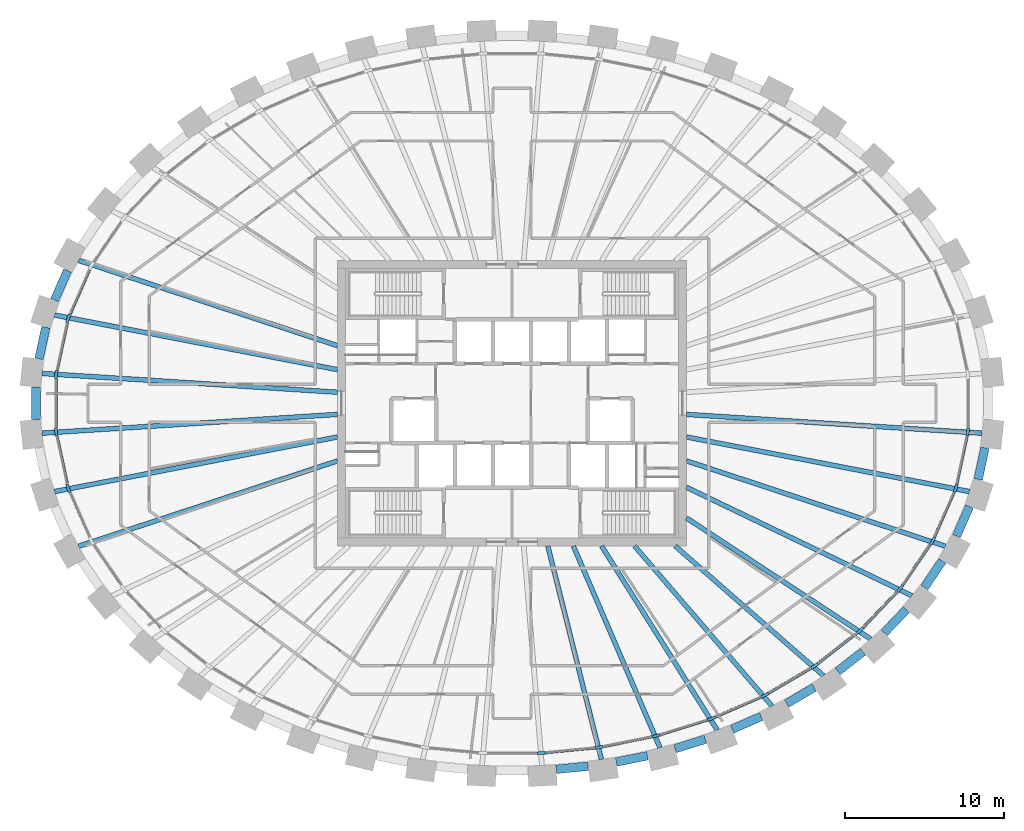
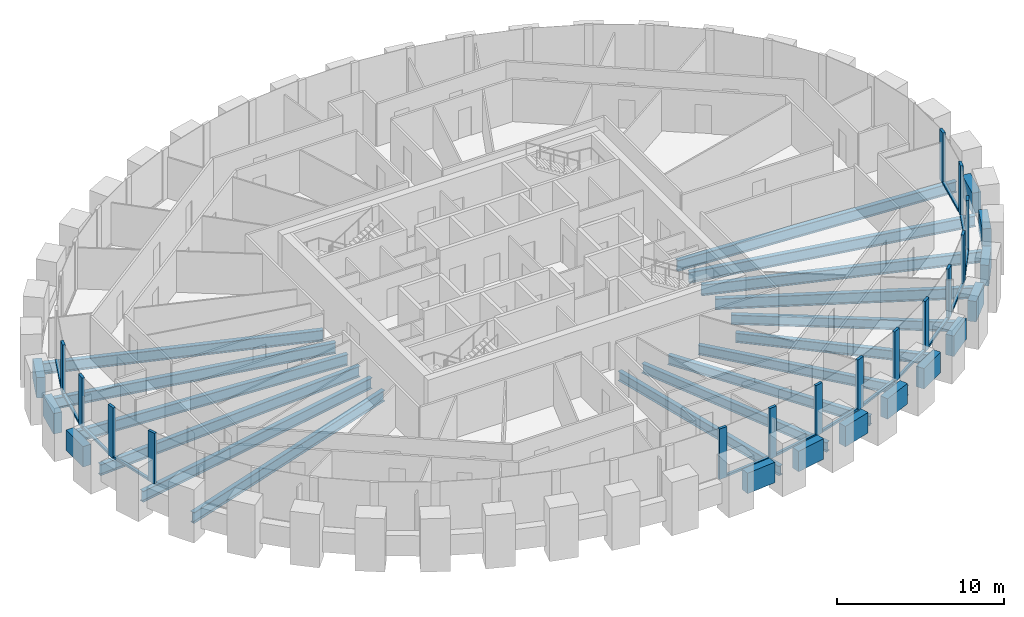
# One storey, part 2 of 12: 29 beams, 29 members, 1 element without a shape of its own.
"""IFC4 building model written with IfcOpenShell, lengths in metres."""

from ifc_helpers import new_model, si_unit, direction, frame, origin, origin_2d, place, context, subcontext, project, spatial, rectangle, i_section, extrude, source, transform, mapped, material, material_profile, profile_set, type_object, element, aggregate, save


model = new_model("IFC4")

# Units and contexts
model_context = context("Model", 3, precision=1e-05, world=origin(), true_north=direction((0.0, 1.0)))
body_context = subcontext(model_context, "Body", "Model", "MODEL_VIEW")
ifc_project = project(units=[si_unit("LENGTHUNIT", "METRE"), si_unit("AREAUNIT", "SQUARE_METRE"), si_unit("VOLUMEUNIT", "CUBIC_METRE"), si_unit("PLANEANGLEUNIT", "RADIAN"), si_unit("MASSUNIT", "GRAM", prefix="KILO")], contexts=[model_context])

# Site, building, storey
site_placement = place(None, origin())
site = spatial("IfcSite", under=ifc_project, at=site_placement, CompositionType="ELEMENT")
building_placement = place(site_placement, origin())
building = spatial("IfcBuilding", under=site, at=building_placement, Name="Embergate Tower", CompositionType="ELEMENT")
storey_placement = place(building_placement, frame((0.0, 0.0, 313.0)))
storey = spatial("IfcBuildingStorey", under=building, at=storey_placement, Name="L73", CompositionType="ELEMENT", Elevation=313.0)

# Beams
ifc_material_1 = material(Name="Concrete C50", Category="concrete")
ifc_material_profile_1 = material_profile(ifc_material_1, rectangle(XDim=0.550048828125, YDim=1.5, at=origin_2d()), Name="RC 550x1500")
ifc_profile_set_1 = profile_set([ifc_material_profile_1], Name="Concrete C50")
beam_type_1 = type_object("IfcBeamType", Name="Spandrel beam RC 550x1500 C50", PredefinedType="BEAM", material=ifc_profile_set_1)
shared_shape_1 = source(origin(), body_context, "Body", "SweptSolid", [
    extrude(rectangle(XDim=0.550048828125, YDim=1.5, at=origin_2d()), origin(), (0.0, 0.0, 1.0), 2.034423828125),
])
for number, where, z_axis, x_axis, name in (
    (1, (-29.39697265625, 4.797119140625, 0.0), (-0.209897885741, -0.977723313398, 0.0), (0.977723313398, -0.209897885741, 0.0), "SPN-L73-20"),
    (2, (29.39697265625, -4.797119140625, 0.0), (0.209897885741, 0.977723313398, 0.0), (-0.977723313398, 0.209897885741, 0.0), "SPN-L73-42"),
):
    element("IfcBeam", number, at=place(storey_placement, frame(where, z_axis=z_axis, x_axis=x_axis)), inside=storey, type_object=beam_type_1, Name=name, PredefinedType="BEAM", context=body_context, shape_type="MappedRepresentation", body=[
        mapped(shared_shape_1, transform((0.0, 0.0, 0.0))),
    ])
shared_shape_2 = source(origin(), body_context, "Body", "SweptSolid", [
    extrude(rectangle(XDim=0.550048828125, YDim=1.5, at=origin_2d()), origin(), (0.0, 0.0, 1.0), 2.03125),
])
for number, where, z_axis, x_axis, name in (
    (3, (-28.027099609375, 8.3701171875, 0.0), (-0.401695096335, -0.915773470669, 0.0), (0.915773470669, -0.401695096335, 0.0), "SPN-L73-19"),
    (4, (28.027099609375, -8.3701171875, 0.0), (0.401695096335, 0.915773470669, 0.0), (-0.915773470669, 0.401695096335, 0.0), "SPN-L73-41"),
):
    element("IfcBeam", number, at=place(storey_placement, frame(where, z_axis=z_axis, x_axis=x_axis)), inside=storey, type_object=beam_type_1, Name=name, PredefinedType="BEAM", context=body_context, shape_type="MappedRepresentation", body=[
        mapped(shared_shape_2, transform((0.0, 0.0, 0.0))),
    ])
shared_shape_3 = source(origin(), body_context, "Body", "SweptSolid", [
    extrude(rectangle(XDim=0.550048828125, YDim=1.5, at=origin_2d()), origin(), (0.0, 0.0, 1.0), 2.02392578125),
])
beam_1_placement = place(storey_placement, frame((26.0, -11.60888671875, 0.0), z_axis=(0.562220937061, 0.826987072408, 0.0), x_axis=(-0.826987072408, 0.562220937061, 0.0)))
element("IfcBeam", 5, at=beam_1_placement, inside=storey, type_object=beam_type_1, Name="SPN-L73-40", PredefinedType="BEAM", context=body_context, shape_type="MappedRepresentation", body=[
    mapped(shared_shape_3, transform((0.0, 0.0, 0.0))),
])
shared_shape_4 = source(origin(), body_context, "Body", "SweptSolid", [
    extrude(rectangle(XDim=0.550048828125, YDim=1.5, at=origin_2d()), origin(), (0.0, 0.0, 1.0), 2.0185546875),
])
beam_2_placement = place(storey_placement, frame((23.47607421875, -14.469970703125, 0.0), z_axis=(0.690032605045, 0.723778283714, 0.0), x_axis=(-0.723778283714, 0.690032605045, 0.0)))
element("IfcBeam", 6, at=beam_2_placement, inside=storey, type_object=beam_type_1, Name="SPN-L73-39", PredefinedType="BEAM", context=body_context, shape_type="MappedRepresentation", body=[
    mapped(shared_shape_4, transform((0.0, 0.0, 0.0))),
])
shared_shape_5 = source(origin(), body_context, "Body", "SweptSolid", [
    extrude(rectangle(XDim=0.550048828125, YDim=1.5, at=origin_2d()), origin(), (0.0, 0.0, 1.0), 2.011962890625),
])
beam_3_placement = place(storey_placement, frame((20.5419921875, -16.902099609375, 0.0), z_axis=(0.788259795351, 0.615342583471, 0.0), x_axis=(-0.615342583471, 0.788259795351, 0.0)))
element("IfcBeam", 7, at=beam_3_placement, inside=storey, type_object=beam_type_1, Name="SPN-L73-38", PredefinedType="BEAM", context=body_context, shape_type="MappedRepresentation", body=[
    mapped(shared_shape_5, transform((0.0, 0.0, 0.0))),
])
shared_shape_6 = source(origin(), body_context, "Body", "SweptSolid", [
    extrude(rectangle(XDim=0.550048828125, YDim=1.5, at=origin_2d()), origin(), (0.0, 0.0, 1.0), 2.008056640625),
])
beam_4_placement = place(storey_placement, frame((17.322021484375, -18.931884765625, 0.0), z_axis=(0.86201859197, 0.506876658663, 0.0), x_axis=(-0.506876658663, 0.86201859197, 0.0)))
element("IfcBeam", 8, at=beam_4_placement, inside=storey, type_object=beam_type_1, Name="SPN-L73-37", PredefinedType="BEAM", context=body_context, shape_type="MappedRepresentation", body=[
    mapped(shared_shape_6, transform((0.0, 0.0, 0.0))),
])
shared_shape_7 = source(origin(), body_context, "Body", "SweptSolid", [
    extrude(rectangle(XDim=0.550048828125, YDim=1.5, at=origin_2d()), origin(), (0.0, 0.0, 1.0), 2.0068359375),
])
beam_5_placement = place(storey_placement, frame((13.8798828125, -20.552978515625, 0.0), z_axis=(0.916455842534, 0.400135837793, 0.0), x_axis=(-0.400135837793, 0.916455842534, 0.0)))
element("IfcBeam", 9, at=beam_5_placement, inside=storey, type_object=beam_type_1, Name="SPN-L73-36", PredefinedType="BEAM", context=body_context, shape_type="MappedRepresentation", body=[
    mapped(shared_shape_7, transform((0.0, 0.0, 0.0))),
])
shared_shape_8 = source(origin(), body_context, "Body", "SweptSolid", [
    extrude(rectangle(XDim=0.550048828125, YDim=1.5, at=origin_2d()), origin(), (0.0, 0.0, 1.0), 2.0048828125),
])
beam_6_placement = place(storey_placement, frame((10.280029296875, -21.778076171875, 0.0), z_axis=(0.954756929567, 0.297387298725, 0.0), x_axis=(-0.297387298725, 0.954756929567, 0.0)))
element("IfcBeam", 10, at=beam_6_placement, inside=storey, type_object=beam_type_1, Name="SPN-L73-35", PredefinedType="BEAM", context=body_context, shape_type="MappedRepresentation", body=[
    mapped(shared_shape_8, transform((0.0, 0.0, 0.0))),
])
shared_shape_9 = source(origin(), body_context, "Body", "SweptSolid", [
    extrude(rectangle(XDim=0.550048828125, YDim=1.5, at=origin_2d()), origin(), (0.0, 0.0, 1.0), 2.003173828125),
])
beam_7_placement = place(storey_placement, frame((6.572021484375, -22.617919921875, 0.0), z_axis=(0.980364457571, 0.197194143753, 0.0), x_axis=(-0.197194143753, 0.980364457571, 0.0)))
element("IfcBeam", 11, at=beam_7_placement, inside=storey, type_object=beam_type_1, Name="SPN-L73-34", PredefinedType="BEAM", context=body_context, shape_type="MappedRepresentation", body=[
    mapped(shared_shape_9, transform((0.0, 0.0, 0.0))),
])
shared_shape_10 = source(origin(), body_context, "Body", "SweptSolid", [
    extrude(rectangle(XDim=0.550048828125, YDim=1.5, at=origin_2d()), origin(), (0.0, 0.0, 1.0), 2.00341796875),
])
beam_8_placement = place(storey_placement, frame((2.798095703125, -23.0791015625, 0.0), z_axis=(0.995201107697, 0.097850678276, 0.0), x_axis=(-0.097850678276, 0.995201107697, 0.0)))
element("IfcBeam", 12, at=beam_8_placement, inside=storey, type_object=beam_type_1, Name="SPN-L73-33", PredefinedType="BEAM", context=body_context, shape_type="MappedRepresentation", body=[
    mapped(shared_shape_10, transform((0.0, 0.0, 0.0))),
])
shared_shape_11 = source(origin(), body_context, "Body", "SweptSolid", [
    extrude(rectangle(XDim=0.550048828125, YDim=1.5, at=origin_2d()), origin(), (0.0, 0.0, 1.0), 2.0361328125),
])
beam_9_placement = place(storey_placement, frame((-30.014892578125, 1.01806640625, 0.0), z_axis=(0.0, -1.0, 0.0), x_axis=(1.0, 0.0, 0.0)))
element("IfcBeam", 13, at=beam_9_placement, inside=storey, type_object=beam_type_1, Name="SPN-L73-21", PredefinedType="BEAM", context=body_context, shape_type="MappedRepresentation", body=[
    mapped(shared_shape_11, transform((0.0, 0.0, 0.0))),
])
ifc_material_2 = material(Name="Steel Q355B", Category="steel")
ifc_material_profile_2 = material_profile(ifc_material_2, i_section(OverallWidth=0.300048828125, OverallDepth=0.800048828125, WebThickness=0.013916015625, FlangeThickness=0.02587890625, FilletRadius=0.028076171875, at=origin_2d()), Name="HN 800x300x14x26")
ifc_profile_set_2 = profile_set([ifc_material_profile_2], Name="Steel Q355 grade B")
beam_type_2 = type_object("IfcBeamType", Name="Radial girder HN 800x300x14x26", PredefinedType="BEAM", material=ifc_profile_set_2)
shared_shape_12 = source(origin(), body_context, "Body", "SweptSolid", [
    extrude(i_section(OverallWidth=0.300048828125, OverallDepth=0.800048828125, WebThickness=0.013916015625, FlangeThickness=0.02587890625, FilletRadius=0.028076171875, at=origin_2d()), origin(), (0.0, 0.0, 1.0), 18.677490234375),
])
for number, where, z_axis, x_axis, name in (
    (14, (-29.639892578125, 1.883056640625, -0.60009765625), (0.997988431548, -0.063396297175, 0.0), (0.063396297175, 0.997988431548, 0.0), "GIR-L73-21"),
    (15, (-29.639892578125, -1.883056640625, -0.60009765625), (0.997988431548, 0.063396297175, 0.0), (-0.063396297175, 0.997988431548, 0.0), "GIR-L73-22"),
    (16, (29.639892578125, -1.883056640625, -0.60009765625), (-0.997988431548, 0.063396297175, 0.0), (-0.063396297175, -0.997988431548, 0.0), "GIR-L73-43"),
):
    element("IfcBeam", number, at=place(storey_placement, frame(where, z_axis=z_axis, x_axis=x_axis)), inside=storey, type_object=beam_type_2, Name=name, PredefinedType="BEAM", context=body_context, shape_type="MappedRepresentation", body=[
        mapped(shared_shape_12, transform((0.0, 0.0, 0.0))),
    ])
shared_shape_13 = source(origin(), body_context, "Body", "SweptSolid", [
    extrude(i_section(OverallWidth=0.300048828125, OverallDepth=0.800048828125, WebThickness=0.013916015625, FlangeThickness=0.02587890625, FilletRadius=0.028076171875, at=origin_2d()), origin(), (0.0, 0.0, 1.0), 18.177001953125),
])
for number, where, z_axis, x_axis, name in (
    (17, (-28.847900390625, 5.56494140625, -0.60009765625), (0.981898318419, -0.189408796749, 0.0), (0.189408796749, 0.981898318419, 0.0), "GIR-L73-20"),
    (18, (-28.847900390625, -5.56494140625, -0.60009765625), (0.981898318419, 0.189408796749, 0.0), (-0.189408796749, 0.981898318419, 0.0), "GIR-L73-23"),
    (19, (28.847900390625, -5.56494140625, -0.60009765625), (-0.981898318419, 0.189408796749, 0.0), (-0.189408796749, -0.981898318419, 0.0), "GIR-L73-42"),
):
    element("IfcBeam", number, at=place(storey_placement, frame(where, z_axis=z_axis, x_axis=x_axis)), inside=storey, type_object=beam_type_2, Name=name, PredefinedType="BEAM", context=body_context, shape_type="MappedRepresentation", body=[
        mapped(shared_shape_13, transform((0.0, 0.0, 0.0))),
    ])
shared_shape_14 = source(origin(), body_context, "Body", "SweptSolid", [
    extrude(i_section(OverallWidth=0.300048828125, OverallDepth=0.800048828125, WebThickness=0.013916015625, FlangeThickness=0.02587890625, FilletRadius=0.028076171875, at=origin_2d()), origin(), (0.0, 0.0, 1.0), 17.2001953125),
])
for number, where, z_axis, x_axis, name in (
    (20, (-27.3349609375, 9.014892578125, -0.60009765625), (0.949690470212, -0.313190055378, 0.0), (0.313190055378, 0.949690470212, 0.0), "GIR-L73-19"),
    (21, (-27.3349609375, -9.014892578125, -0.60009765625), (0.949690470212, 0.313190055378, 0.0), (-0.313190055378, 0.949690470212, 0.0), "GIR-L73-24"),
    (22, (27.3349609375, -9.014892578125, -0.60009765625), (-0.949690470212, 0.313190055378, 0.0), (-0.313190055378, -0.949690470212, 0.0), "GIR-L73-41"),
):
    element("IfcBeam", number, at=place(storey_placement, frame(where, z_axis=z_axis, x_axis=x_axis)), inside=storey, type_object=beam_type_2, Name=name, PredefinedType="BEAM", context=body_context, shape_type="MappedRepresentation", body=[
        mapped(shared_shape_14, transform((0.0, 0.0, 0.0))),
    ])
shared_shape_15 = source(origin(), body_context, "Body", "SweptSolid", [
    extrude(i_section(OverallWidth=0.300048828125, OverallDepth=0.800048828125, WebThickness=0.013916015625, FlangeThickness=0.02587890625, FilletRadius=0.028076171875, at=origin_2d()), origin(), (0.0, 0.0, 1.0), 15.775634765625),
])
beam_10_placement = place(storey_placement, frame((25.216064453125, -12.131103515625, -0.60009765625), z_axis=(-0.901141870193, 0.433524312795, 0.0), x_axis=(-0.433524312795, -0.901141870193, 0.0)))
element("IfcBeam", 23, at=beam_10_placement, inside=storey, type_object=beam_type_2, Name="GIR-L73-40", PredefinedType="BEAM", context=body_context, shape_type="MappedRepresentation", body=[
    mapped(shared_shape_15, transform((0.0, 0.0, 0.0))),
])
ifc_material_profile_3 = material_profile(ifc_material_2, i_section(OverallWidth=0.300048828125, OverallDepth=0.699951171875, WebThickness=0.012939453125, FlangeThickness=0.02392578125, FilletRadius=0.01806640625, at=origin_2d()), Name="HN 700x300x13x24")
ifc_profile_set_3 = profile_set([ifc_material_profile_3], Name="Steel Q355 grade B")
beam_type_3 = type_object("IfcBeamType", Name="Radial girder HN 700x300x13x24", PredefinedType="BEAM", material=ifc_profile_set_3)
shared_shape_16 = source(origin(), body_context, "Body", "SweptSolid", [
    extrude(i_section(OverallWidth=0.300048828125, OverallDepth=0.699951171875, WebThickness=0.012939453125, FlangeThickness=0.02392578125, FilletRadius=0.01806640625, at=origin_2d()), origin(), (0.0, 0.0, 1.0), 13.89794921875),
])
beam_11_placement = place(storey_placement, frame((22.614990234375, -14.85888671875, -0.550048828125), z_axis=(-0.835734272266, 0.549134069386, 0.0), x_axis=(-0.549134069386, -0.835734272266, 0.0)))
element("IfcBeam", 24, at=beam_11_placement, inside=storey, type_object=beam_type_3, Name="GIR-L73-39", PredefinedType="BEAM", context=body_context, shape_type="MappedRepresentation", body=[
    mapped(shared_shape_16, transform((0.0, 0.0, 0.0))),
])
shared_shape_17 = source(origin(), body_context, "Body", "SweptSolid", [
    extrude(i_section(OverallWidth=0.300048828125, OverallDepth=0.699951171875, WebThickness=0.012939453125, FlangeThickness=0.02392578125, FilletRadius=0.01806640625, at=origin_2d()), origin(), (0.0, 0.0, 1.0), 12.424072265625),
])
beam_12_placement = place(storey_placement, frame((19.64306640625, -17.178955078125, -0.550048828125), z_axis=(-0.752739789834, 0.658318166847, 0.0), x_axis=(-0.658318166847, -0.752739789834, 0.0)))
element("IfcBeam", 25, at=beam_12_placement, inside=storey, type_object=beam_type_3, Name="GIR-L73-38", PredefinedType="BEAM", context=body_context, shape_type="MappedRepresentation", body=[
    mapped(shared_shape_17, transform((0.0, 0.0, 0.0))),
])
shared_shape_18 = source(origin(), body_context, "Body", "SweptSolid", [
    extrude(i_section(OverallWidth=0.300048828125, OverallDepth=0.699951171875, WebThickness=0.012939453125, FlangeThickness=0.02392578125, FilletRadius=0.01806640625, at=origin_2d()), origin(), (0.0, 0.0, 1.0), 13.300048828125),
])
beam_13_placement = place(storey_placement, frame((16.39306640625, -19.090087890625, -0.550048828125), z_axis=(-0.651501585067, 0.758647272885, 0.0), x_axis=(-0.758647272885, -0.651501585067, 0.0)))
element("IfcBeam", 26, at=beam_13_placement, inside=storey, type_object=beam_type_3, Name="GIR-L73-37", PredefinedType="BEAM", context=body_context, shape_type="MappedRepresentation", body=[
    mapped(shared_shape_18, transform((0.0, 0.0, 0.0))),
])
shared_shape_19 = source(origin(), body_context, "Body", "SweptSolid", [
    extrude(i_section(OverallWidth=0.300048828125, OverallDepth=0.699951171875, WebThickness=0.012939453125, FlangeThickness=0.02392578125, FilletRadius=0.01806640625, at=origin_2d()), origin(), (0.0, 0.0, 1.0), 13.698486328125),
])
beam_14_placement = place(storey_placement, frame((12.93798828125, -20.60009765625, -0.550048828125), z_axis=(-0.5318784163, 0.846820730895, 0.0), x_axis=(-0.846820730895, -0.5318784163, 0.0)))
element("IfcBeam", 27, at=beam_14_placement, inside=storey, type_object=beam_type_3, Name="GIR-L73-36", PredefinedType="BEAM", context=body_context, shape_type="MappedRepresentation", body=[
    mapped(shared_shape_19, transform((0.0, 0.0, 0.0))),
])
shared_shape_20 = source(origin(), body_context, "Body", "SweptSolid", [
    extrude(i_section(OverallWidth=0.300048828125, OverallDepth=0.699951171875, WebThickness=0.012939453125, FlangeThickness=0.02392578125, FilletRadius=0.01806640625, at=origin_2d()), origin(), (0.0, 0.0, 1.0), 13.846435546875),
])
beam_15_placement = place(storey_placement, frame((9.3369140625, -21.720947265625, -0.550048828125), z_axis=(-0.394906469697, 0.918721328909, 0.0), x_axis=(-0.918721328909, -0.394906469697, 0.0)))
element("IfcBeam", 28, at=beam_15_placement, inside=storey, type_object=beam_type_3, Name="GIR-L73-35", PredefinedType="BEAM", context=body_context, shape_type="MappedRepresentation", body=[
    mapped(shared_shape_20, transform((0.0, 0.0, 0.0))),
])
shared_shape_21 = source(origin(), body_context, "Body", "SweptSolid", [
    extrude(i_section(OverallWidth=0.300048828125, OverallDepth=0.699951171875, WebThickness=0.012939453125, FlangeThickness=0.02392578125, FilletRadius=0.01806640625, at=origin_2d()), origin(), (0.0, 0.0, 1.0), 13.88037109375),
])
beam_16_placement = place(storey_placement, frame((5.638916015625, -22.462890625, -0.550048828125), z_axis=(-0.243429448645, 0.969918606653, 0.0), x_axis=(-0.969918606653, -0.243429448645, 0.0)))
element("IfcBeam", 29, at=beam_16_placement, inside=storey, type_object=beam_type_3, Name="GIR-L73-34", PredefinedType="BEAM", context=body_context, shape_type="MappedRepresentation", body=[
    mapped(shared_shape_21, transform((0.0, 0.0, 0.0))),
])

# Curtain wall, members
ifc_material_3 = material(Name="Aluminium and glass", Category="aluminium")
curtain_wall_type = type_object("IfcCurtainWallType", Name="Recessed office glazing", PredefinedType="NOTDEFINED", material=ifc_material_3)
curtain_wall_placement = place(storey_placement, origin())
curtain_wall = element("IfcCurtainWall", 30, at=curtain_wall_placement, inside=storey, type_object=curtain_wall_type, Name="Recessed office glazing ring", ObjectType="RECESSED OFFICE GLAZING", PredefinedType="USERDEFINED")
ifc_material_4 = material(Name="Aluminium, thermally broken", Category="aluminium")
ifc_material_profile_4 = material_profile(ifc_material_4, rectangle(XDim=0.179931640625, YDim=0.52001953125, at=origin_2d()), Name="AL 520x180")
ifc_profile_set_4 = profile_set([ifc_material_profile_4], Name="Aluminium, thermally broken")
member_type_1 = type_object("IfcMemberType", Name="Office mullion", PredefinedType="MULLION", material=ifc_profile_set_4)
shared_shape_22 = source(origin(), body_context, "Body", "SweptSolid", [
    extrude(rectangle(XDim=0.179931640625, YDim=0.52001953125, at=origin_2d()), origin(), (0.0, 0.0, 1.0), 3.699951171875),
])
member_1_placement = place(storey_placement, frame((-27.989013671875, 5.349853515625, 0.0), z_axis=(0.0, 0.0, 1.0), x_axis=(0.951491891254, -0.307673822216, 0.0)))
member_1 = element("IfcMember", 31, at=member_1_placement, type_object=member_type_1, Name="CW mullion 21", PredefinedType="MULLION", context=body_context, shape_type="MappedRepresentation", body=[
    mapped(shared_shape_22, transform((0.0, 0.0, 0.0))),
])
member_2_placement = place(storey_placement, frame((-28.7509765625, 1.809326171875, 0.0), z_axis=(0.0, 0.0, 1.0), x_axis=(0.994384031216, -0.105831934987, 0.0)))
member_2 = element("IfcMember", 32, at=member_2_placement, type_object=member_type_1, Name="CW mullion 22", PredefinedType="MULLION", context=body_context, shape_type="MappedRepresentation", body=[
    mapped(shared_shape_22, transform((0.0, 0.0, 0.0))),
])
member_3_placement = place(storey_placement, frame((-28.7509765625, -1.809326171875, 0.0), z_axis=(0.0, 0.0, 1.0), x_axis=(0.994384031216, 0.105831934987, 0.0)))
member_3 = element("IfcMember", 33, at=member_3_placement, type_object=member_type_1, Name="CW mullion 23", PredefinedType="MULLION", context=body_context, shape_type="MappedRepresentation", body=[
    mapped(shared_shape_22, transform((0.0, 0.0, 0.0))),
])
member_4_placement = place(storey_placement, frame((-27.989013671875, -5.349853515625, 0.0), z_axis=(0.0, 0.0, 1.0), x_axis=(0.951491891254, 0.307673822216, 0.0)))
member_4 = element("IfcMember", 34, at=member_4_placement, type_object=member_type_1, Name="CW mullion 24", PredefinedType="MULLION", context=body_context, shape_type="MappedRepresentation", body=[
    mapped(shared_shape_22, transform((0.0, 0.0, 0.0))),
])
member_5_placement = place(storey_placement, frame((1.834716796875, -22.05615234375, 0.0), z_axis=(0.0, 0.0, 1.0), x_axis=(-0.048971796621, 0.998800161762, 0.0)))
member_5 = element("IfcMember", 35, at=member_5_placement, type_object=member_type_1, Name="CW mullion 34", PredefinedType="MULLION", context=body_context, shape_type="MappedRepresentation", body=[
    mapped(shared_shape_22, transform((0.0, 0.0, 0.0))),
])
member_6_placement = place(storey_placement, frame((5.486328125, -21.697265625, 0.0), z_axis=(0.0, 0.0, 1.0), x_axis=(-0.147410656556, 0.989075375456, 0.0)))
member_6 = element("IfcMember", 36, at=member_6_placement, type_object=member_type_1, Name="CW mullion 35", PredefinedType="MULLION", context=body_context, shape_type="MappedRepresentation", body=[
    mapped(shared_shape_22, transform((0.0, 0.0, 0.0))),
])
member_7_placement = place(storey_placement, frame((9.082763671875, -20.97607421875, 0.0), z_axis=(0.0, 0.0, 1.0), x_axis=(-0.247310190257, 0.968936360034, 0.0)))
member_7 = element("IfcMember", 37, at=member_7_placement, type_object=member_type_1, Name="CW mullion 36", PredefinedType="MULLION", context=body_context, shape_type="MappedRepresentation", body=[
    mapped(shared_shape_22, transform((0.0, 0.0, 0.0))),
])
member_8_placement = place(storey_placement, frame((12.582763671875, -19.885986328125, 0.0), z_axis=(0.0, 0.0, 1.0), x_axis=(-0.349501047589, 0.936935973124, 0.0)))
member_8 = element("IfcMember", 38, at=member_8_placement, type_object=member_type_1, Name="CW mullion 37", PredefinedType="MULLION", context=body_context, shape_type="MappedRepresentation", body=[
    mapped(shared_shape_22, transform((0.0, 0.0, 0.0))),
])
member_9_placement = place(storey_placement, frame((15.9384765625, -18.418701171875, 0.0), z_axis=(0.0, 0.0, 1.0), x_axis=(-0.454506716612, 0.890743310138, 0.0)))
member_9 = element("IfcMember", 39, at=member_9_placement, type_object=member_type_1, Name="CW mullion 38", PredefinedType="MULLION", context=body_context, shape_type="MappedRepresentation", body=[
    mapped(shared_shape_22, transform((0.0, 0.0, 0.0))),
])
member_10_placement = place(storey_placement, frame((19.092041015625, -16.564697265625, 0.0), z_axis=(0.0, 0.0, 1.0), x_axis=(-0.562210401679, 0.82699423471, 0.0)))
member_10 = element("IfcMember", 40, at=member_10_placement, type_object=member_type_1, Name="CW mullion 39", PredefinedType="MULLION", context=body_context, shape_type="MappedRepresentation", body=[
    mapped(shared_shape_22, transform((0.0, 0.0, 0.0))),
])
member_11_placement = place(storey_placement, frame((21.97119140625, -14.3173828125, 0.0), z_axis=(0.0, 0.0, 1.0), x_axis=(-0.671217477801, 0.741260478843, 0.0)))
member_11 = element("IfcMember", 41, at=member_11_placement, type_object=member_type_1, Name="CW mullion 40", PredefinedType="MULLION", context=body_context, shape_type="MappedRepresentation", body=[
    mapped(shared_shape_22, transform((0.0, 0.0, 0.0))),
])
member_12_placement = place(storey_placement, frame((24.48681640625, -11.6796875, 0.0), z_axis=(0.0, 0.0, 1.0), x_axis=(-0.777861596203, 0.628435626897, 0.0)))
member_12 = element("IfcMember", 42, at=member_12_placement, type_object=member_type_1, Name="CW mullion 41", PredefinedType="MULLION", context=body_context, shape_type="MappedRepresentation", body=[
    mapped(shared_shape_22, transform((0.0, 0.0, 0.0))),
])
member_13_placement = place(storey_placement, frame((26.53173828125, -8.67236328125, 0.0), z_axis=(0.0, 0.0, 1.0), x_axis=(-0.874991756265, 0.484137817639, 0.0)))
member_13 = element("IfcMember", 43, at=member_13_placement, type_object=member_type_1, Name="CW mullion 42", PredefinedType="MULLION", context=body_context, shape_type="MappedRepresentation", body=[
    mapped(shared_shape_22, transform((0.0, 0.0, 0.0))),
])
member_14_placement = place(storey_placement, frame((27.989013671875, -5.349853515625, 0.0), z_axis=(0.0, 0.0, 1.0), x_axis=(-0.951491891254, 0.307673822216, 0.0)))
member_14 = element("IfcMember", 44, at=member_14_placement, type_object=member_type_1, Name="CW mullion 43", PredefinedType="MULLION", context=body_context, shape_type="MappedRepresentation", body=[
    mapped(shared_shape_22, transform((0.0, 0.0, 0.0))),
])
member_15_placement = place(storey_placement, frame((28.7509765625, -1.809326171875, 0.0), z_axis=(0.0, 0.0, 1.0), x_axis=(-0.994384031216, 0.105831934987, 0.0)))
member_15 = element("IfcMember", 45, at=member_15_placement, type_object=member_type_1, Name="CW mullion 44", PredefinedType="MULLION", context=body_context, shape_type="MappedRepresentation", body=[
    mapped(shared_shape_22, transform((0.0, 0.0, 0.0))),
])
ifc_material_profile_5 = material_profile(ifc_material_4, rectangle(XDim=0.179931640625, YDim=0.14990234375, at=origin_2d()), Name="AL 150x180")
ifc_profile_set_5 = profile_set([ifc_material_profile_5], Name="Aluminium, thermally broken")
member_type_2 = type_object("IfcMemberType", Name="Office sill transom", PredefinedType="USERDEFINED", material=ifc_profile_set_5)
shared_shape_23 = source(origin(), body_context, "Body", "SweptSolid", [
    extrude(rectangle(XDim=0.179931640625, YDim=0.14990234375, at=origin_2d()), origin(), (0.0, 0.0, 1.0), 3.101318359375),
])
member_16_placement = place(storey_placement, frame((-28.043701171875, 5.095703125, 0.074951171875), z_axis=(-0.210416031857, -0.97761193402, 0.0), x_axis=(0.97761193402, -0.210416031857, 0.0)))
member_16 = element("IfcMember", 46, at=member_16_placement, type_object=member_type_2, Name="CW transom 21.1", ObjectType="TRANSOM", PredefinedType="USERDEFINED", context=body_context, shape_type="MappedRepresentation", body=[
    mapped(shared_shape_23, transform((0.0, 0.0, 0.0))),
])
member_17_placement = place(storey_placement, frame((-28.6962890625, -2.063720703125, 0.074951171875), z_axis=(0.210416031857, -0.97761193402, 0.0), x_axis=(0.97761193402, 0.210416031857, 0.0)))
member_17 = element("IfcMember", 47, at=member_17_placement, type_object=member_type_2, Name="CW transom 23.1", ObjectType="TRANSOM", PredefinedType="USERDEFINED", context=body_context, shape_type="MappedRepresentation", body=[
    mapped(shared_shape_23, transform((0.0, 0.0, 0.0))),
])
member_18_placement = place(storey_placement, frame((28.043701171875, -5.095703125, 0.074951171875), z_axis=(0.210416031857, 0.97761193402, 0.0), x_axis=(-0.97761193402, 0.210416031857, 0.0)))
member_18 = element("IfcMember", 48, at=member_18_placement, type_object=member_type_2, Name="CW transom 43.1", ObjectType="TRANSOM", PredefinedType="USERDEFINED", context=body_context, shape_type="MappedRepresentation", body=[
    mapped(shared_shape_23, transform((0.0, 0.0, 0.0))),
])
shared_shape_24 = source(origin(), body_context, "Body", "SweptSolid", [
    extrude(rectangle(XDim=0.179931640625, YDim=0.14990234375, at=origin_2d()), origin(), (0.0, 0.0, 1.0), 3.108154296875),
])
member_19_placement = place(storey_placement, frame((-26.63623046875, 8.434326171875, 0.074951171875), z_axis=(-0.401688075914, -0.915776550075, 0.0), x_axis=(0.915776550075, -0.401688075914, 0.0)))
member_19 = element("IfcMember", 49, at=member_19_placement, type_object=member_type_2, Name="CW transom 20.1", ObjectType="TRANSOM", PredefinedType="USERDEFINED", context=body_context, shape_type="MappedRepresentation", body=[
    mapped(shared_shape_24, transform((0.0, 0.0, 0.0))),
])
member_20_placement = place(storey_placement, frame((26.63623046875, -8.434326171875, 0.074951171875), z_axis=(0.401688075914, 0.915776550075, 0.0), x_axis=(-0.915776550075, 0.401688075914, 0.0)))
member_20 = element("IfcMember", 50, at=member_20_placement, type_object=member_type_2, Name="CW transom 42.1", ObjectType="TRANSOM", PredefinedType="USERDEFINED", context=body_context, shape_type="MappedRepresentation", body=[
    mapped(shared_shape_24, transform((0.0, 0.0, 0.0))),
])
shared_shape_25 = source(origin(), body_context, "Body", "SweptSolid", [
    extrude(rectangle(XDim=0.179931640625, YDim=0.14990234375, at=origin_2d()), origin(), (0.0, 0.0, 1.0), 3.116455078125),
])
member_21_placement = place(storey_placement, frame((24.633056640625, -11.464599609375, 0.074951171875), z_axis=(0.562305735985, 0.826929416141, 0.0), x_axis=(-0.826929416141, 0.562305735985, 0.0)))
member_21 = element("IfcMember", 51, at=member_21_placement, type_object=member_type_2, Name="CW transom 41.1", ObjectType="TRANSOM", PredefinedType="USERDEFINED", context=body_context, shape_type="MappedRepresentation", body=[
    mapped(shared_shape_25, transform((0.0, 0.0, 0.0))),
])
shared_shape_26 = source(origin(), body_context, "Body", "SweptSolid", [
    extrude(rectangle(XDim=0.179931640625, YDim=0.14990234375, at=origin_2d()), origin(), (0.0, 0.0, 1.0), 3.125244140625),
])
member_22_placement = place(storey_placement, frame((22.150634765625, -14.12939453125, 0.074951171875), z_axis=(0.69011149361, 0.723703065067, 0.0), x_axis=(-0.723703065067, 0.69011149361, 0.0)))
member_22 = element("IfcMember", 52, at=member_22_placement, type_object=member_type_2, Name="CW transom 40.1", ObjectType="TRANSOM", PredefinedType="USERDEFINED", context=body_context, shape_type="MappedRepresentation", body=[
    mapped(shared_shape_26, transform((0.0, 0.0, 0.0))),
])
shared_shape_27 = source(origin(), body_context, "Body", "SweptSolid", [
    extrude(rectangle(XDim=0.179931640625, YDim=0.14990234375, at=origin_2d()), origin(), (0.0, 0.0, 1.0), 3.132080078125),
])
member_23_placement = place(storey_placement, frame((19.297119140625, -16.404541015625, 0.074951171875), z_axis=(0.788280741955, 0.615315749727, 0.0), x_axis=(-0.615315749727, 0.788280741955, 0.0)))
member_23 = element("IfcMember", 53, at=member_23_placement, type_object=member_type_2, Name="CW transom 39.1", ObjectType="TRANSOM", PredefinedType="USERDEFINED", context=body_context, shape_type="MappedRepresentation", body=[
    mapped(shared_shape_27, transform((0.0, 0.0, 0.0))),
])
shared_shape_28 = source(origin(), body_context, "Body", "SweptSolid", [
    extrude(rectangle(XDim=0.179931640625, YDim=0.14990234375, at=origin_2d()), origin(), (0.0, 0.0, 1.0), 3.13818359375),
])
member_24_placement = place(storey_placement, frame((16.16259765625, -18.286865234375, 0.074951171875), z_axis=(0.862044187524, 0.506833127129, 0.0), x_axis=(-0.506833127129, 0.862044187524, 0.0)))
member_24 = element("IfcMember", 54, at=member_24_placement, type_object=member_type_2, Name="CW transom 38.1", ObjectType="TRANSOM", PredefinedType="USERDEFINED", context=body_context, shape_type="MappedRepresentation", body=[
    mapped(shared_shape_28, transform((0.0, 0.0, 0.0))),
])
shared_shape_29 = source(origin(), body_context, "Body", "SweptSolid", [
    extrude(rectangle(XDim=0.179931640625, YDim=0.14990234375, at=origin_2d()), origin(), (0.0, 0.0, 1.0), 3.142578125),
])
member_25_placement = place(storey_placement, frame((12.82080078125, -19.78173828125, 0.074951171875), z_axis=(0.916239332715, 0.400631358217, 0.0), x_axis=(-0.400631358217, 0.916239332715, 0.0)))
member_25 = element("IfcMember", 55, at=member_25_placement, type_object=member_type_2, Name="CW transom 37.1", ObjectType="TRANSOM", PredefinedType="USERDEFINED", context=body_context, shape_type="MappedRepresentation", body=[
    mapped(shared_shape_29, transform((0.0, 0.0, 0.0))),
])
shared_shape_30 = source(origin(), body_context, "Body", "SweptSolid", [
    extrude(rectangle(XDim=0.179931640625, YDim=0.14990234375, at=origin_2d()), origin(), (0.0, 0.0, 1.0), 3.145751953125),
])
member_26_placement = place(storey_placement, frame((9.3310546875, -20.898681640625, 0.074951171875), z_axis=(0.954775040365, 0.297329148077, 0.0), x_axis=(-0.297329148077, 0.954775040365, 0.0)))
member_26 = element("IfcMember", 56, at=member_26_placement, type_object=member_type_2, Name="CW transom 36.1", ObjectType="TRANSOM", PredefinedType="USERDEFINED", context=body_context, shape_type="MappedRepresentation", body=[
    mapped(shared_shape_30, transform((0.0, 0.0, 0.0))),
])
shared_shape_31 = source(origin(), body_context, "Body", "SweptSolid", [
    extrude(rectangle(XDim=0.179931640625, YDim=0.14990234375, at=origin_2d()), origin(), (0.0, 0.0, 1.0), 3.148193359375),
])
member_27_placement = place(storey_placement, frame((5.7412109375, -21.64599609375, 0.074951171875), z_axis=(0.980485111411, 0.19659335264, 0.0), x_axis=(-0.19659335264, 0.980485111411, 0.0)))
member_27 = element("IfcMember", 57, at=member_27_placement, type_object=member_type_2, Name="CW transom 35.1", ObjectType="TRANSOM", PredefinedType="USERDEFINED", context=body_context, shape_type="MappedRepresentation", body=[
    mapped(shared_shape_31, transform((0.0, 0.0, 0.0))),
])
shared_shape_32 = source(origin(), body_context, "Body", "SweptSolid", [
    extrude(rectangle(XDim=0.179931640625, YDim=0.14990234375, at=origin_2d()), origin(), (0.0, 0.0, 1.0), 3.149169921875),
])
member_28_placement = place(storey_placement, frame((2.093505859375, -22.03076171875, 0.074951171875), z_axis=(0.995202362026, 0.097837920143, 0.0), x_axis=(-0.097837920143, 0.995202362026, 0.0)))
member_28 = element("IfcMember", 58, at=member_28_placement, type_object=member_type_2, Name="CW transom 34.1", ObjectType="TRANSOM", PredefinedType="USERDEFINED", context=body_context, shape_type="MappedRepresentation", body=[
    mapped(shared_shape_32, transform((0.0, 0.0, 0.0))),
])
shared_shape_33 = source(origin(), body_context, "Body", "SweptSolid", [
    extrude(rectangle(XDim=0.179931640625, YDim=0.14990234375, at=origin_2d()), origin(), (0.0, 0.0, 1.0), 3.0986328125),
])
member_29_placement = place(storey_placement, frame((-28.7509765625, 1.54931640625, 0.074951171875), z_axis=(0.0, -1.0, 0.0), x_axis=(1.0, 0.0, 0.0)))
member_29 = element("IfcMember", 59, at=member_29_placement, type_object=member_type_2, Name="CW transom 22.1", ObjectType="TRANSOM", PredefinedType="USERDEFINED", context=body_context, shape_type="MappedRepresentation", body=[
    mapped(shared_shape_33, transform((0.0, 0.0, 0.0))),
])
aggregate(curtain_wall, [member_1, member_2, member_3, member_4, member_5, member_6, member_7, member_8, member_9, member_10, member_11, member_12, member_13, member_14, member_15, member_19, member_16, member_29, member_17, member_28, member_27, member_26, member_25, member_24, member_23, member_22, member_21, member_20, member_18])

save(model, "model.ifc")
